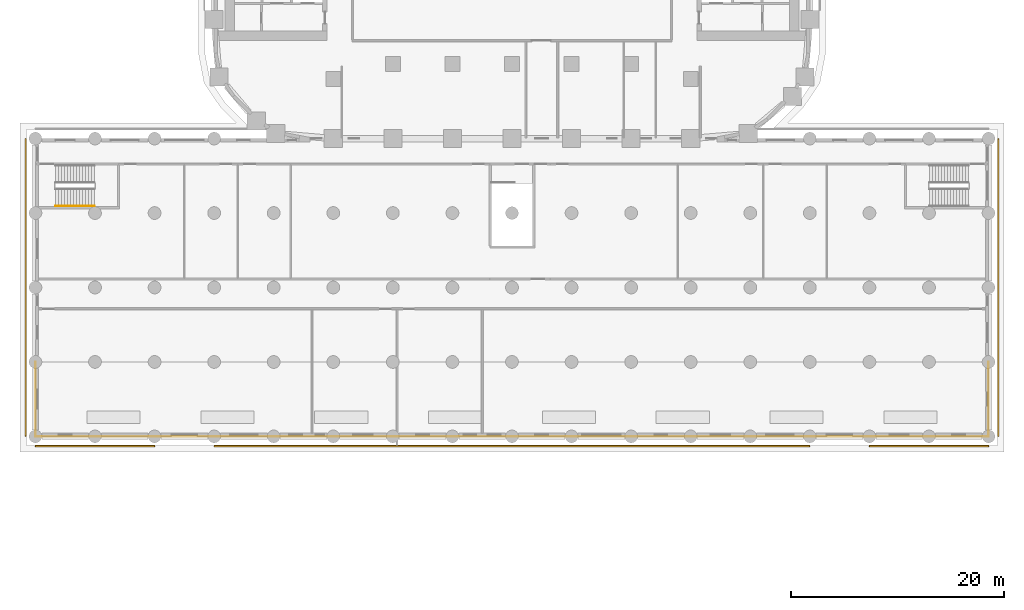
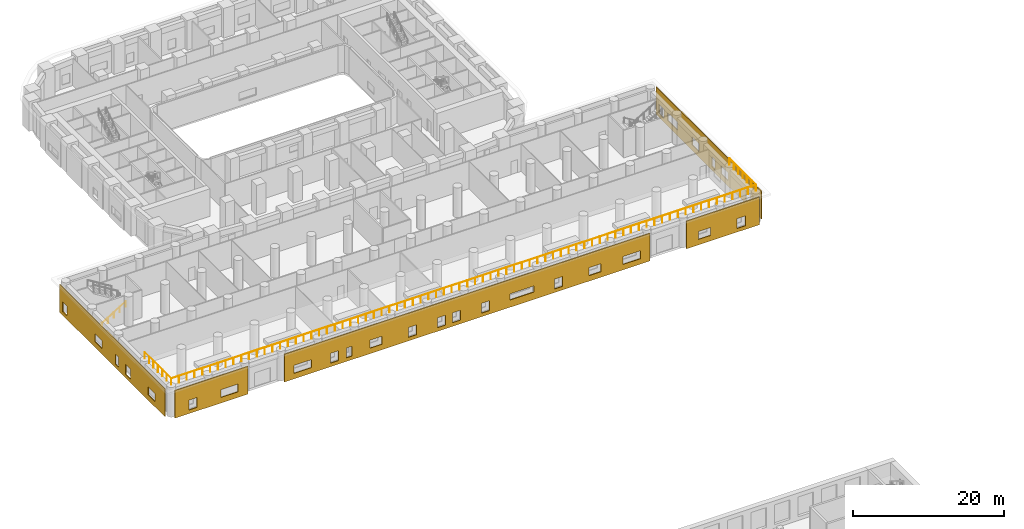
# One storey, part 18 of 24: 5 coverings, 2 railings.
"""IFC4 building model written with IfcOpenShell, lengths in metres."""

from ifc_helpers import new_model, si_unit, direction, frame, origin, origin_2d, place, context, subcontext, project, spatial, polyline, circle, outline, extrude, material, layer, layer_set, type_object, element, save


model = new_model("IFC4")

# Units and contexts
model_context = context("Model", 3, precision=1e-05, world=origin(), true_north=direction((0.0, 1.0)))
body_context = subcontext(model_context, "Body", "Model", "MODEL_VIEW")
ifc_project = project(units=[si_unit("LENGTHUNIT", "METRE"), si_unit("AREAUNIT", "SQUARE_METRE"), si_unit("VOLUMEUNIT", "CUBIC_METRE"), si_unit("PLANEANGLEUNIT", "RADIAN"), si_unit("MASSUNIT", "GRAM", prefix="KILO")], contexts=[model_context])

# Site, building, storey
site_placement = place(None, origin())
site = spatial("IfcSite", under=ifc_project, at=site_placement, CompositionType="ELEMENT")
building_placement = place(site_placement, origin())
building = spatial("IfcBuilding", under=site, at=building_placement, Name="Kiln Ring Residences", CompositionType="ELEMENT")
storey_placement = place(building_placement, frame((0.0, 0.0, 11.300048828125)))
storey = spatial("IfcBuildingStorey", under=building, at=storey_placement, Name="L02", CompositionType="ELEMENT", Elevation=11.300048828125)

# Railing
ifc_material_1 = material(Name="Stainless steel", Category="steel")
railing_type_1 = type_object("IfcRailingType", Name="PODIUM-STAIR-HANDRAIL", PredefinedType="HANDRAIL", material=ifc_material_1)
railing_1_placement = place(storey_placement, frame((-42.89990234375, -28.75, 0.17138671875)))
element("IfcRailing", 1, at=railing_1_placement, inside=storey, type_object=railing_type_1, Name="L02 PS-W stair handrail 1", PredefinedType="HANDRAIL", context=body_context, shape_type="SweptSolid", body=[
    extrude(circle(Radius=0.02392578125, at=origin_2d()), frame((0.0, 0.0, 0.8759765625), z_axis=(0.852850264322, 0.0, 0.5221555579), x_axis=(0.0, 1.0, 0.0)), (0.0, 0.0, 1.0), 4.267822265625),
    extrude(circle(Radius=0.02099609375, at=origin_2d()), origin(), (0.0, 0.0, 1.0), 0.851806640625),
    extrude(circle(Radius=0.02099609375, at=origin_2d()), frame((0.909912109375, 0.0, 0.55712890625)), (0.0, 0.0, 1.0), 0.851806640625),
    extrude(circle(Radius=0.02099609375, at=origin_2d()), frame((1.81982421875, 0.0, 1.1142578125)), (0.0, 0.0, 1.0), 0.851806640625),
    extrude(circle(Radius=0.02099609375, at=origin_2d()), frame((2.72998046875, 0.0, 1.67138671875)), (0.0, 0.0, 1.0), 0.851806640625),
    extrude(circle(Radius=0.02099609375, at=origin_2d()), frame((3.639892578125, 0.0, 2.228515625)), (0.0, 0.0, 1.0), 0.851806640625),
])

# Coverings
ifc_material_2 = material(Name="Brick masonry, dark clay brick", Category="masonry")
ifc_layer = layer(ifc_material_2, 0.1201171875)
ifc_layer_set = layer_set([ifc_layer], Name="RAINSCREEN PANEL 120")
covering_type = type_object("IfcCoveringType", Name="RAINSCREEN PANEL 120", PredefinedType="CLADDING", material=ifc_layer_set)
covering_1_placement = place(storey_placement, frame((45.7099609375, -50.39990234375, 0.0), z_axis=(0.0, 0.0, 1.0), x_axis=(0.0, 1.0, 0.0)))
element("IfcCovering", 2, at=covering_1_placement, inside=storey, type_object=covering_type, Name="RAINSCREEN L02", PredefinedType="CLADDING", context=body_context, shape_type="SweptSolid", body=[
    extrude(outline(polyline([(0.0, 0.0), (28.0, 0.0), (28.0, 4.5), (0.0, 4.5), (0.0, 0.0)]), holes=[polyline([(4.1201171875, 0.579833984375), (4.1201171875, 2.169921875), (2.8798828125, 2.169921875), (2.8798828125, 0.579833984375), (4.1201171875, 0.579833984375)]), polyline([(12.3173828125, 0.579833984375), (13.157470703125, 0.579833984375), (13.157470703125, 2.169921875), (12.3173828125, 2.169921875), (12.3173828125, 0.579833984375)]), polyline([(25.91748046875, 0.579833984375), (27.157470703125, 0.579833984375), (27.157470703125, 2.169921875), (25.91748046875, 2.169921875), (25.91748046875, 0.579833984375)]), polyline([(10.6826171875, 0.8798828125), (10.6826171875, 2.169921875), (8.842529296875, 2.169921875), (8.842529296875, 0.8798828125), (10.6826171875, 0.8798828125)]), polyline([(16.60009765625, 0.89990234375), (18.39990234375, 0.89990234375), (18.39990234375, 2.14990234375), (16.60009765625, 2.14990234375), (16.60009765625, 0.89990234375)]), polyline([(22.242431640625, 0.8798828125), (24.882568359375, 0.8798828125), (24.882568359375, 2.169921875), (22.242431640625, 2.169921875), (22.242431640625, 0.8798828125)])]), frame((0.0, 0.06005859375, 0.0), z_axis=(0.0, -1.0, 0.0), x_axis=(1.0, 0.0, 0.0)), (0.0, 0.0, 1.0), 0.1201171875),
])
covering_2_placement = place(storey_placement, frame((-45.7099609375, -22.39990234375, 0.0), z_axis=(0.0, 0.0, 1.0), x_axis=(0.0, -1.0, 0.0)))
element("IfcCovering", 3, at=covering_2_placement, inside=storey, type_object=covering_type, Name="RAINSCREEN L02", PredefinedType="CLADDING", context=body_context, shape_type="SweptSolid", body=[
    extrude(outline(polyline([(0.0, 0.0), (28.0, 0.0), (28.0, 4.5), (0.0, 4.5), (0.0, 0.0)]), holes=[polyline([(2.08251953125, 0.579833984375), (2.08251953125, 2.169921875), (0.842529296875, 2.169921875), (0.842529296875, 0.579833984375), (2.08251953125, 0.579833984375)]), polyline([(15.6826171875, 0.579833984375), (15.6826171875, 2.169921875), (14.842529296875, 2.169921875), (14.842529296875, 0.579833984375), (15.6826171875, 0.579833984375)]), polyline([(18.857421875, 0.579833984375), (18.857421875, 2.169921875), (17.617431640625, 2.169921875), (17.617431640625, 0.579833984375), (18.857421875, 0.579833984375)]), polyline([(9.4423828125, 0.8798828125), (11.282470703125, 0.8798828125), (11.282470703125, 2.169921875), (9.4423828125, 2.169921875), (9.4423828125, 0.8798828125)]), polyline([(23.580078125, 0.8798828125), (25.419921875, 0.8798828125), (25.419921875, 2.169921875), (23.580078125, 2.169921875), (23.580078125, 0.8798828125)])]), frame((0.0, 0.06005859375, 0.0), z_axis=(0.0, -1.0, 0.0), x_axis=(1.0, 0.0, 0.0)), (0.0, 0.0, 1.0), 0.1201171875),
])
covering_3_placement = place(storey_placement, frame((-44.800048828125, -51.31005859375, 0.0), z_axis=(0.0, 0.0, 1.0), x_axis=(1.0, 0.0, 0.0)))
element("IfcCovering", 4, at=covering_3_placement, inside=storey, type_object=covering_type, Name="RAINSCREEN L02", PredefinedType="CLADDING", context=body_context, shape_type="SweptSolid", body=[
    extrude(outline(polyline([(0.0, 0.0), (11.199951171875, 0.0), (11.199951171875, 4.5), (0.0, 4.5), (0.0, 0.0)]), holes=[polyline([(3.419921875, 2.169921875), (2.179931640625, 2.169921875), (2.179931640625, 0.579833984375), (3.419921875, 0.579833984375), (3.419921875, 2.169921875)]), polyline([(9.699951171875, 2.14990234375), (7.10009765625, 2.14990234375), (7.10009765625, 0.89990234375), (9.699951171875, 0.89990234375), (9.699951171875, 2.14990234375)])]), frame((0.0, 0.06005859375, 0.0), z_axis=(0.0, -1.0, 0.0), x_axis=(1.0, 0.0, 0.0)), (0.0, 0.0, 1.0), 0.1201171875),
])
covering_4_placement = place(storey_placement, frame((-28.0, -51.31005859375, 0.0), z_axis=(0.0, 0.0, 1.0), x_axis=(1.0, 0.0, 0.0)))
element("IfcCovering", 5, at=covering_4_placement, inside=storey, type_object=covering_type, Name="RAINSCREEN L02", PredefinedType="CLADDING", context=body_context, shape_type="SweptSolid", body=[
    extrude(outline(polyline([(0.0, 0.0), (56.0, 0.0), (56.0, 4.5), (0.0, 4.5), (0.0, 0.0)]), holes=[polyline([(7.04248046875, 0.579833984375), (8.282470703125, 0.579833984375), (8.282470703125, 2.169921875), (7.04248046875, 2.169921875), (7.04248046875, 0.579833984375)]), polyline([(9.517578125, 2.169921875), (9.517578125, 0.579833984375), (10.357421875, 0.579833984375), (10.357421875, 2.169921875), (9.517578125, 2.169921875)]), polyline([(18.97998046875, 2.169921875), (18.97998046875, 0.579833984375), (20.219970703125, 0.579833984375), (20.219970703125, 2.169921875), (18.97998046875, 2.169921875)]), polyline([(23.4423828125, 0.579833984375), (24.6826171875, 0.579833984375), (24.6826171875, 2.169921875), (23.4423828125, 2.169921875), (23.4423828125, 0.579833984375)]), polyline([(1.47998046875, 2.169921875), (1.47998046875, 0.8798828125), (4.1201171875, 0.8798828125), (4.1201171875, 2.169921875), (1.47998046875, 2.169921875)]), polyline([(13.080078125, 2.169921875), (13.080078125, 0.8798828125), (14.919921875, 0.8798828125), (14.919921875, 2.169921875), (13.080078125, 2.169921875)]), polyline([(25.717529296875, 0.579833984375), (26.95751953125, 0.579833984375), (26.95751953125, 2.169921875), (25.717529296875, 2.169921875), (25.717529296875, 0.579833984375)]), polyline([(30.179931640625, 2.169921875), (30.179931640625, 0.579833984375), (31.419921875, 0.579833984375), (31.419921875, 2.169921875), (30.179931640625, 2.169921875)]), polyline([(41.3798828125, 2.169921875), (41.3798828125, 0.579833984375), (42.6201171875, 0.579833984375), (42.6201171875, 2.169921875), (41.3798828125, 2.169921875)]), polyline([(46.679931640625, 0.8798828125), (48.52001953125, 0.8798828125), (48.52001953125, 2.169921875), (46.679931640625, 2.169921875), (46.679931640625, 0.8798828125)]), polyline([(51.8798828125, 2.169921875), (51.8798828125, 0.8798828125), (54.52001953125, 0.8798828125), (54.52001953125, 2.169921875), (51.8798828125, 2.169921875)]), polyline([(34.580078125, 2.169921875), (34.580078125, 1.179931640625), (38.219970703125, 1.179931640625), (38.219970703125, 2.169921875), (34.580078125, 2.169921875)])]), frame((0.0, 0.06005859375, 0.0), z_axis=(0.0, -1.0, 0.0), x_axis=(1.0, 0.0, 0.0)), (0.0, 0.0, 1.0), 0.1201171875),
])
covering_5_placement = place(storey_placement, frame((33.60009765625, -51.31005859375, 0.0), z_axis=(0.0, 0.0, 1.0), x_axis=(1.0, 0.0, 0.0)))
element("IfcCovering", 6, at=covering_5_placement, inside=storey, type_object=covering_type, Name="RAINSCREEN L02", PredefinedType="CLADDING", context=body_context, shape_type="SweptSolid", body=[
    extrude(outline(polyline([(0.0, 0.0), (11.199951171875, 0.0), (11.199951171875, 4.5), (0.0, 4.5), (0.0, 0.0)]), holes=[polyline([(9.02001953125, 2.169921875), (7.780029296875, 2.169921875), (7.780029296875, 0.579833984375), (9.02001953125, 0.579833984375), (9.02001953125, 2.169921875)]), polyline([(3.719970703125, 2.169921875), (1.8798828125, 2.169921875), (1.8798828125, 0.8798828125), (3.719970703125, 0.8798828125), (3.719970703125, 2.169921875)])]), frame((0.0, 0.06005859375, 0.0), z_axis=(0.0, -1.0, 0.0), x_axis=(1.0, 0.0, 0.0)), (0.0, 0.0, 1.0), 0.1201171875),
])

# Railing
ifc_material_3 = material(Name="Black powder-coated steel", Category="steel")
railing_type_2 = type_object("IfcRailingType", Name="TERRACE GUARD 1100", PredefinedType="GUARDRAIL", material=ifc_material_3)
railing_2_placement = place(storey_placement, frame((-44.800048828125, -43.39990234375, 4.800048828125)))
element("IfcRailing", 7, at=railing_2_placement, inside=storey, type_object=railing_type_2, Name="GUARD terrace L02", PredefinedType="GUARDRAIL", context=body_context, shape_type="SweptSolid", body=[
    extrude(circle(Radius=0.02392578125, at=origin_2d()), frame((0.0, 0.0, 1.076171875), z_axis=(0.0, -1.0, 0.0), x_axis=(1.0, 0.0, 0.0)), (0.0, 0.0, 1.0), 7.0),
    extrude(circle(Radius=0.02392578125, at=origin_2d()), frame((0.0, -7.0, 1.076171875), z_axis=(1.0, 0.0, 0.0), x_axis=(0.0, 1.0, 0.0)), (0.0, 0.0, 1.0), 89.60009765625),
    extrude(circle(Radius=0.02392578125, at=origin_2d()), frame((89.60009765625, -7.0, 1.076171875), z_axis=(0.0, 1.0, 0.0), x_axis=(-1.0, 0.0, 0.0)), (0.0, 0.0, 1.0), 7.0),
    extrude(circle(Radius=0.02099609375, at=origin_2d()), origin(), (0.0, 0.0, 1.0), 1.052001953125),
    extrude(circle(Radius=0.02099609375, at=origin_2d()), frame((0.0, -1.166748046875, 0.0)), (0.0, 0.0, 1.0), 1.052001953125),
    extrude(circle(Radius=0.02099609375, at=origin_2d()), frame((0.0, -2.333251953125, 0.0)), (0.0, 0.0, 1.0), 1.052001953125),
    extrude(circle(Radius=0.02099609375, at=origin_2d()), frame((0.0, -3.5, 0.0)), (0.0, 0.0, 1.0), 1.052001953125),
    extrude(circle(Radius=0.02099609375, at=origin_2d()), frame((0.0, -4.666748046875, 0.0)), (0.0, 0.0, 1.0), 1.052001953125),
    extrude(circle(Radius=0.02099609375, at=origin_2d()), frame((0.0, -5.833251953125, 0.0)), (0.0, 0.0, 1.0), 1.052001953125),
    extrude(circle(Radius=0.02099609375, at=origin_2d()), frame((0.0, -7.0, 0.0)), (0.0, 0.0, 1.0), 1.052001953125),
    extrude(circle(Radius=0.02099609375, at=origin_2d()), frame((1.194580078125, -7.0, 0.0)), (0.0, 0.0, 1.0), 1.052001953125),
    extrude(circle(Radius=0.02099609375, at=origin_2d()), frame((2.389404296875, -7.0, 0.0)), (0.0, 0.0, 1.0), 1.052001953125),
    extrude(circle(Radius=0.02099609375, at=origin_2d()), frame((3.583984375, -7.0, 0.0)), (0.0, 0.0, 1.0), 1.052001953125),
    extrude(circle(Radius=0.02099609375, at=origin_2d()), frame((4.778564453125, -7.0, 0.0)), (0.0, 0.0, 1.0), 1.052001953125),
    extrude(circle(Radius=0.02099609375, at=origin_2d()), frame((5.973388671875, -7.0, 0.0)), (0.0, 0.0, 1.0), 1.052001953125),
    extrude(circle(Radius=0.02099609375, at=origin_2d()), frame((7.16796875, -7.0, 0.0)), (0.0, 0.0, 1.0), 1.052001953125),
    extrude(circle(Radius=0.02099609375, at=origin_2d()), frame((8.36279296875, -7.0, 0.0)), (0.0, 0.0, 1.0), 1.052001953125),
    extrude(circle(Radius=0.02099609375, at=origin_2d()), frame((9.557373046875, -7.0, 0.0)), (0.0, 0.0, 1.0), 1.052001953125),
    extrude(circle(Radius=0.02099609375, at=origin_2d()), frame((10.751953125, -7.0, 0.0)), (0.0, 0.0, 1.0), 1.052001953125),
    extrude(circle(Radius=0.02099609375, at=origin_2d()), frame((11.94677734375, -7.0, 0.0)), (0.0, 0.0, 1.0), 1.052001953125),
    extrude(circle(Radius=0.02099609375, at=origin_2d()), frame((13.141357421875, -7.0, 0.0)), (0.0, 0.0, 1.0), 1.052001953125),
    extrude(circle(Radius=0.02099609375, at=origin_2d()), frame((14.3359375, -7.0, 0.0)), (0.0, 0.0, 1.0), 1.052001953125),
    extrude(circle(Radius=0.02099609375, at=origin_2d()), frame((15.53076171875, -7.0, 0.0)), (0.0, 0.0, 1.0), 1.052001953125),
    extrude(circle(Radius=0.02099609375, at=origin_2d()), frame((16.725341796875, -7.0, 0.0)), (0.0, 0.0, 1.0), 1.052001953125),
    extrude(circle(Radius=0.02099609375, at=origin_2d()), frame((17.919921875, -7.0, 0.0)), (0.0, 0.0, 1.0), 1.052001953125),
    extrude(circle(Radius=0.02099609375, at=origin_2d()), frame((19.11474609375, -7.0, 0.0)), (0.0, 0.0, 1.0), 1.052001953125),
    extrude(circle(Radius=0.02099609375, at=origin_2d()), frame((20.309326171875, -7.0, 0.0)), (0.0, 0.0, 1.0), 1.052001953125),
    extrude(circle(Radius=0.02099609375, at=origin_2d()), frame((21.50390625, -7.0, 0.0)), (0.0, 0.0, 1.0), 1.052001953125),
    extrude(circle(Radius=0.02099609375, at=origin_2d()), frame((22.69873046875, -7.0, 0.0)), (0.0, 0.0, 1.0), 1.052001953125),
    extrude(circle(Radius=0.02099609375, at=origin_2d()), frame((23.893310546875, -7.0, 0.0)), (0.0, 0.0, 1.0), 1.052001953125),
    extrude(circle(Radius=0.02099609375, at=origin_2d()), frame((25.088134765625, -7.0, 0.0)), (0.0, 0.0, 1.0), 1.052001953125),
    extrude(circle(Radius=0.02099609375, at=origin_2d()), frame((26.28271484375, -7.0, 0.0)), (0.0, 0.0, 1.0), 1.052001953125),
    extrude(circle(Radius=0.02099609375, at=origin_2d()), frame((27.477294921875, -7.0, 0.0)), (0.0, 0.0, 1.0), 1.052001953125),
    extrude(circle(Radius=0.02099609375, at=origin_2d()), frame((28.672119140625, -7.0, 0.0)), (0.0, 0.0, 1.0), 1.052001953125),
    extrude(circle(Radius=0.02099609375, at=origin_2d()), frame((29.86669921875, -7.0, 0.0)), (0.0, 0.0, 1.0), 1.052001953125),
    extrude(circle(Radius=0.02099609375, at=origin_2d()), frame((31.061279296875, -7.0, 0.0)), (0.0, 0.0, 1.0), 1.052001953125),
    extrude(circle(Radius=0.02099609375, at=origin_2d()), frame((32.256103515625, -7.0, 0.0)), (0.0, 0.0, 1.0), 1.052001953125),
    extrude(circle(Radius=0.02099609375, at=origin_2d()), frame((33.45068359375, -7.0, 0.0)), (0.0, 0.0, 1.0), 1.052001953125),
    extrude(circle(Radius=0.02099609375, at=origin_2d()), frame((34.645263671875, -7.0, 0.0)), (0.0, 0.0, 1.0), 1.052001953125),
    extrude(circle(Radius=0.02099609375, at=origin_2d()), frame((35.840087890625, -7.0, 0.0)), (0.0, 0.0, 1.0), 1.052001953125),
    extrude(circle(Radius=0.02099609375, at=origin_2d()), frame((37.03466796875, -7.0, 0.0)), (0.0, 0.0, 1.0), 1.052001953125),
    extrude(circle(Radius=0.02099609375, at=origin_2d()), frame((38.2294921875, -7.0, 0.0)), (0.0, 0.0, 1.0), 1.052001953125),
    extrude(circle(Radius=0.02099609375, at=origin_2d()), frame((39.424072265625, -7.0, 0.0)), (0.0, 0.0, 1.0), 1.052001953125),
    extrude(circle(Radius=0.02099609375, at=origin_2d()), frame((40.61865234375, -7.0, 0.0)), (0.0, 0.0, 1.0), 1.052001953125),
    extrude(circle(Radius=0.02099609375, at=origin_2d()), frame((41.8134765625, -7.0, 0.0)), (0.0, 0.0, 1.0), 1.052001953125),
    extrude(circle(Radius=0.02099609375, at=origin_2d()), frame((43.008056640625, -7.0, 0.0)), (0.0, 0.0, 1.0), 1.052001953125),
    extrude(circle(Radius=0.02099609375, at=origin_2d()), frame((44.20263671875, -7.0, 0.0)), (0.0, 0.0, 1.0), 1.052001953125),
    extrude(circle(Radius=0.02099609375, at=origin_2d()), frame((45.3974609375, -7.0, 0.0)), (0.0, 0.0, 1.0), 1.052001953125),
    extrude(circle(Radius=0.02099609375, at=origin_2d()), frame((46.592041015625, -7.0, 0.0)), (0.0, 0.0, 1.0), 1.052001953125),
    extrude(circle(Radius=0.02099609375, at=origin_2d()), frame((47.78662109375, -7.0, 0.0)), (0.0, 0.0, 1.0), 1.052001953125),
    extrude(circle(Radius=0.02099609375, at=origin_2d()), frame((48.9814453125, -7.0, 0.0)), (0.0, 0.0, 1.0), 1.052001953125),
    extrude(circle(Radius=0.02099609375, at=origin_2d()), frame((50.176025390625, -7.0, 0.0)), (0.0, 0.0, 1.0), 1.052001953125),
    extrude(circle(Radius=0.02099609375, at=origin_2d()), frame((51.37060546875, -7.0, 0.0)), (0.0, 0.0, 1.0), 1.052001953125),
    extrude(circle(Radius=0.02099609375, at=origin_2d()), frame((52.5654296875, -7.0, 0.0)), (0.0, 0.0, 1.0), 1.052001953125),
    extrude(circle(Radius=0.02099609375, at=origin_2d()), frame((53.760009765625, -7.0, 0.0)), (0.0, 0.0, 1.0), 1.052001953125),
    extrude(circle(Radius=0.02099609375, at=origin_2d()), frame((54.954833984375, -7.0, 0.0)), (0.0, 0.0, 1.0), 1.052001953125),
    extrude(circle(Radius=0.02099609375, at=origin_2d()), frame((56.1494140625, -7.0, 0.0)), (0.0, 0.0, 1.0), 1.052001953125),
    extrude(circle(Radius=0.02099609375, at=origin_2d()), frame((57.343994140625, -7.0, 0.0)), (0.0, 0.0, 1.0), 1.052001953125),
    extrude(circle(Radius=0.02099609375, at=origin_2d()), frame((58.538818359375, -7.0, 0.0)), (0.0, 0.0, 1.0), 1.052001953125),
    extrude(circle(Radius=0.02099609375, at=origin_2d()), frame((59.7333984375, -7.0, 0.0)), (0.0, 0.0, 1.0), 1.052001953125),
    extrude(circle(Radius=0.02099609375, at=origin_2d()), frame((60.927978515625, -7.0, 0.0)), (0.0, 0.0, 1.0), 1.052001953125),
    extrude(circle(Radius=0.02099609375, at=origin_2d()), frame((62.122802734375, -7.0, 0.0)), (0.0, 0.0, 1.0), 1.052001953125),
    extrude(circle(Radius=0.02099609375, at=origin_2d()), frame((63.3173828125, -7.0, 0.0)), (0.0, 0.0, 1.0), 1.052001953125),
    extrude(circle(Radius=0.02099609375, at=origin_2d()), frame((64.511962890625, -7.0, 0.0)), (0.0, 0.0, 1.0), 1.052001953125),
    extrude(circle(Radius=0.02099609375, at=origin_2d()), frame((65.706787109375, -7.0, 0.0)), (0.0, 0.0, 1.0), 1.052001953125),
    extrude(circle(Radius=0.02099609375, at=origin_2d()), frame((66.9013671875, -7.0, 0.0)), (0.0, 0.0, 1.0), 1.052001953125),
    extrude(circle(Radius=0.02099609375, at=origin_2d()), frame((68.09619140625, -7.0, 0.0)), (0.0, 0.0, 1.0), 1.052001953125),
    extrude(circle(Radius=0.02099609375, at=origin_2d()), frame((69.290771484375, -7.0, 0.0)), (0.0, 0.0, 1.0), 1.052001953125),
    extrude(circle(Radius=0.02099609375, at=origin_2d()), frame((70.4853515625, -7.0, 0.0)), (0.0, 0.0, 1.0), 1.052001953125),
    extrude(circle(Radius=0.02099609375, at=origin_2d()), frame((71.68017578125, -7.0, 0.0)), (0.0, 0.0, 1.0), 1.052001953125),
    extrude(circle(Radius=0.02099609375, at=origin_2d()), frame((72.874755859375, -7.0, 0.0)), (0.0, 0.0, 1.0), 1.052001953125),
    extrude(circle(Radius=0.02099609375, at=origin_2d()), frame((74.0693359375, -7.0, 0.0)), (0.0, 0.0, 1.0), 1.052001953125),
    extrude(circle(Radius=0.02099609375, at=origin_2d()), frame((75.26416015625, -7.0, 0.0)), (0.0, 0.0, 1.0), 1.052001953125),
    extrude(circle(Radius=0.02099609375, at=origin_2d()), frame((76.458740234375, -7.0, 0.0)), (0.0, 0.0, 1.0), 1.052001953125),
    extrude(circle(Radius=0.02099609375, at=origin_2d()), frame((77.6533203125, -7.0, 0.0)), (0.0, 0.0, 1.0), 1.052001953125),
    extrude(circle(Radius=0.02099609375, at=origin_2d()), frame((78.84814453125, -7.0, 0.0)), (0.0, 0.0, 1.0), 1.052001953125),
    extrude(circle(Radius=0.02099609375, at=origin_2d()), frame((80.042724609375, -7.0, 0.0)), (0.0, 0.0, 1.0), 1.052001953125),
    extrude(circle(Radius=0.02099609375, at=origin_2d()), frame((81.2373046875, -7.0, 0.0)), (0.0, 0.0, 1.0), 1.052001953125),
    extrude(circle(Radius=0.02099609375, at=origin_2d()), frame((82.43212890625, -7.0, 0.0)), (0.0, 0.0, 1.0), 1.052001953125),
    extrude(circle(Radius=0.02099609375, at=origin_2d()), frame((83.626708984375, -7.0, 0.0)), (0.0, 0.0, 1.0), 1.052001953125),
    extrude(circle(Radius=0.02099609375, at=origin_2d()), frame((84.821533203125, -7.0, 0.0)), (0.0, 0.0, 1.0), 1.052001953125),
    extrude(circle(Radius=0.02099609375, at=origin_2d()), frame((86.01611328125, -7.0, 0.0)), (0.0, 0.0, 1.0), 1.052001953125),
    extrude(circle(Radius=0.02099609375, at=origin_2d()), frame((87.210693359375, -7.0, 0.0)), (0.0, 0.0, 1.0), 1.052001953125),
    extrude(circle(Radius=0.02099609375, at=origin_2d()), frame((88.405517578125, -7.0, 0.0)), (0.0, 0.0, 1.0), 1.052001953125),
    extrude(circle(Radius=0.02099609375, at=origin_2d()), frame((89.60009765625, -7.0, 0.0)), (0.0, 0.0, 1.0), 1.052001953125),
    extrude(circle(Radius=0.02099609375, at=origin_2d()), frame((89.60009765625, -5.833251953125, 0.0)), (0.0, 0.0, 1.0), 1.052001953125),
    extrude(circle(Radius=0.02099609375, at=origin_2d()), frame((89.60009765625, -4.666748046875, 0.0)), (0.0, 0.0, 1.0), 1.052001953125),
    extrude(circle(Radius=0.02099609375, at=origin_2d()), frame((89.60009765625, -3.5, 0.0)), (0.0, 0.0, 1.0), 1.052001953125),
    extrude(circle(Radius=0.02099609375, at=origin_2d()), frame((89.60009765625, -2.333251953125, 0.0)), (0.0, 0.0, 1.0), 1.052001953125),
    extrude(circle(Radius=0.02099609375, at=origin_2d()), frame((89.60009765625, -1.166748046875, 0.0)), (0.0, 0.0, 1.0), 1.052001953125),
    extrude(circle(Radius=0.02099609375, at=origin_2d()), frame((89.60009765625, 0.0, 0.0)), (0.0, 0.0, 1.0), 1.052001953125),
])

save(model, "model.ifc")
